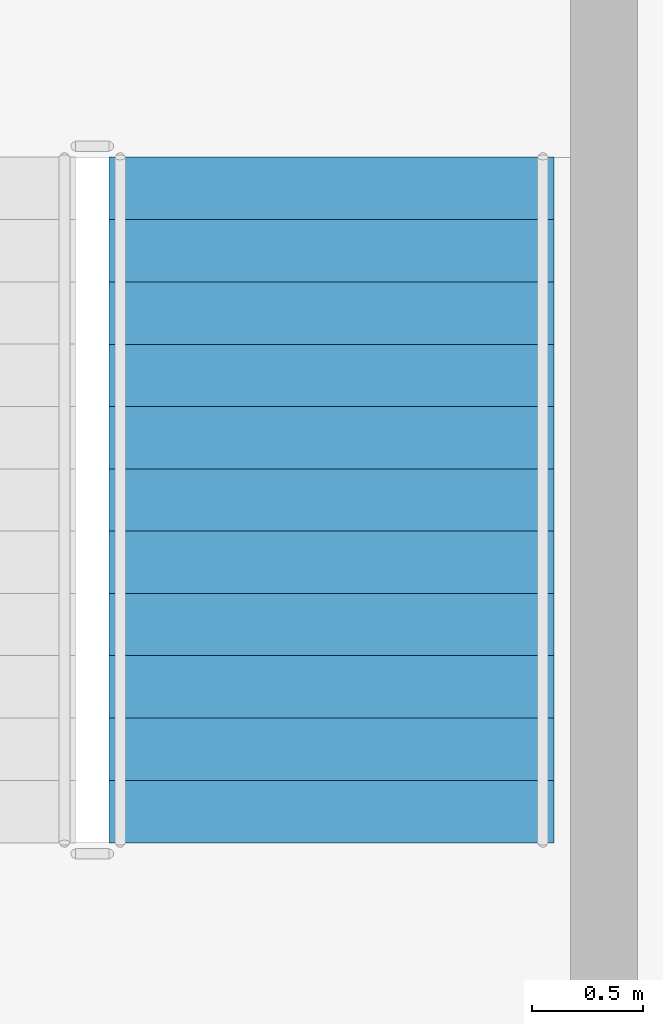
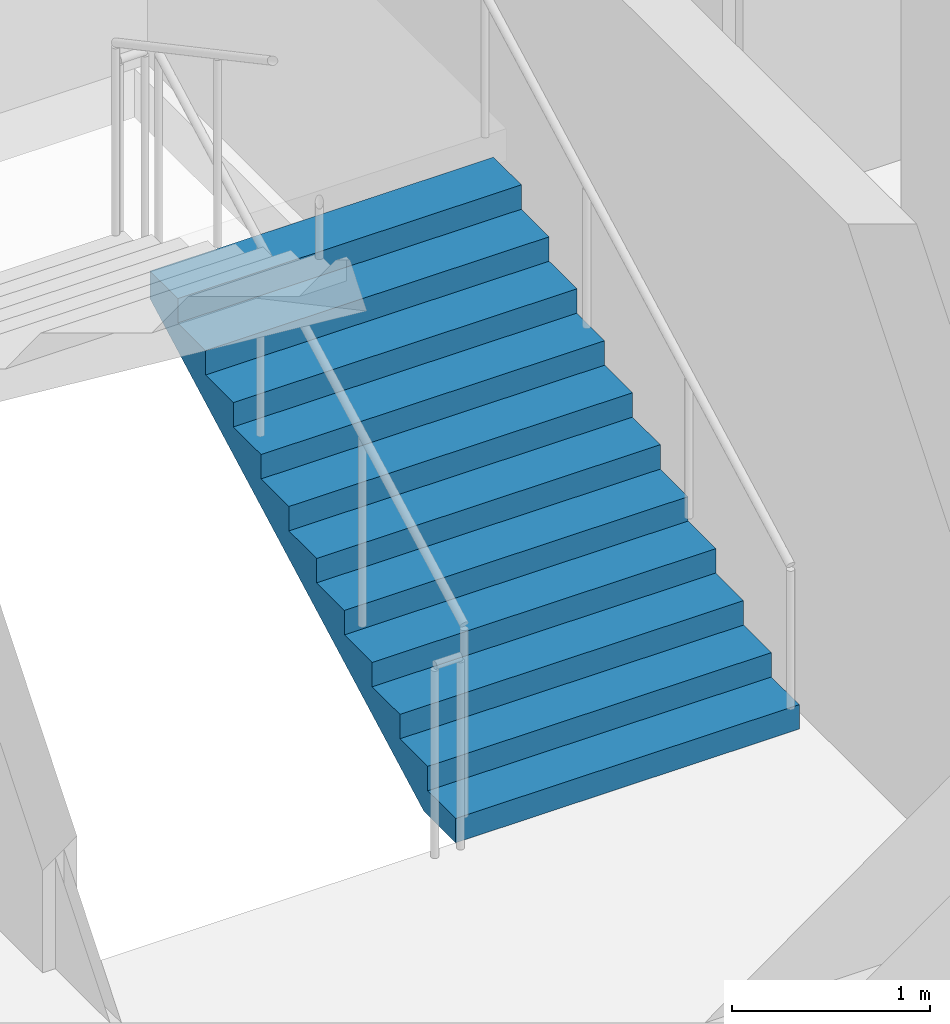
# One storey, part 12 of 15: 1 stair flight, 1 element without a shape of its own.
"""IFC4 building model written with IfcOpenShell, lengths in metres."""

from ifc_helpers import new_model, si_unit, direction, frame, origin, place, context, subcontext, project, spatial, polygons, material, type_object, element, aggregate, save


model = new_model("IFC4")

# Units and contexts
model_context = context("Model", 3, precision=1e-05, world=origin(), true_north=direction((0.0, 1.0)))
body_context = subcontext(model_context, "Body", "Model", "MODEL_VIEW")
ifc_project = project(units=[si_unit("LENGTHUNIT", "METRE"), si_unit("AREAUNIT", "SQUARE_METRE"), si_unit("VOLUMEUNIT", "CUBIC_METRE"), si_unit("PLANEANGLEUNIT", "RADIAN"), si_unit("MASSUNIT", "GRAM", prefix="KILO")], contexts=[model_context])

# Site, building, storey
site_placement = place(None, origin())
site = spatial("IfcSite", under=ifc_project, at=site_placement, CompositionType="ELEMENT")
building_placement = place(site_placement, origin())
building = spatial("IfcBuilding", under=site, at=building_placement, Name="Caravel Reach Hotel and Residences", CompositionType="ELEMENT")
storey_placement = place(building_placement, frame((0.0, 0.0, 81.60009765625)))
storey = spatial("IfcBuildingStorey", under=building, at=storey_placement, Name="L19", CompositionType="ELEMENT", Elevation=81.60009765625)

# Stair, stair flight
ifc_material_1 = material(Name="Concrete C40", Category="concrete")
stair_type = type_object("IfcStairType", Name="Core stair", PredefinedType="HALF_TURN_STAIR", material=ifc_material_1)
stair_placement = place(storey_placement, origin())
stair = element("IfcStair", 1, at=stair_placement, inside=storey, type_object=stair_type, Name="L19 Exit stair B", PredefinedType="HALF_TURN_STAIR")
ifc_material_2 = material(Name="Concrete C40", Category="concrete")
stair_flight_type = type_object("IfcStairFlightType", Name="Core stair flight", PredefinedType="STRAIGHT", material=ifc_material_2)
stair_flight_placement = place(storey_placement, frame((43.77490234375, 24.64990234375, 0.0), z_axis=(0.0, 0.0, 1.0), x_axis=(0.0, 1.0, 0.0)))
stair_flight = element("IfcStairFlight", 2, at=stair_flight_placement, type_object=stair_flight_type, Name="ST-B flight 1", NumberOfRisers=12, NumberOfTreads=11, PredefinedType="STRAIGHT", RiserHeight=0.15, TreadLength=0.28, context=body_context, shape_type="Tessellation", body=[
    polygons([(0.3174408016601862, 1.0, 0.0), (0.3174408016601862, 0.6666666666666667, 0.0), (0.3174408016601862, 0.33333333333333337, 0.0), (0.3174408016601862, 0.0, 0.0), (0.3174408016601862, -0.33333333333333326, 0.0), (0.3174408016601862, -0.6666666666666667, 0.0), (0.3174408016601862, -1.0, 0.0), (3.081, 1.0, 1.479942427682043), (3.081, 0.6666666666666667, 1.479942427682043), (3.081, 0.33333333333333337, 1.479942427682043), (3.081, 0.0, 1.479942427682043), (3.081, -0.33333333333333326, 1.479942427682043), (3.081, -0.6666666666666667, 1.479942427682043), (3.081, -1.0, 1.479942427682043), (3.081, 1.0, 1.65), (3.081, 0.6666666666666667, 1.65), (3.081, 0.33333333333333337, 1.65), (3.081, 0.0, 1.65), (3.081, -0.33333333333333326, 1.65), (3.081, -0.6666666666666667, 1.65), (3.081, -1.0, 1.65), (2.8000000000000003, 1.0, 1.65), (2.8000000000000003, 0.6666666666666667, 1.65), (2.8000000000000003, 0.33333333333333337, 1.65), (2.8000000000000003, 0.0, 1.65), (2.8000000000000003, -0.33333333333333326, 1.65), (2.8000000000000003, -0.6666666666666667, 1.65), (2.8000000000000003, -1.0, 1.65), (2.8000000000000003, 1.0, 1.5), (2.8000000000000003, 0.6666666666666667, 1.5), (2.8000000000000003, 0.33333333333333337, 1.5), (2.8000000000000003, 0.0, 1.5), (2.8000000000000003, -0.33333333333333326, 1.5), (2.8000000000000003, -0.6666666666666667, 1.5), (2.8000000000000003, -1.0, 1.5), (2.5200000000000005, 1.0, 1.5), (2.5200000000000005, 0.6666666666666667, 1.5), (2.5200000000000005, 0.33333333333333337, 1.5), (2.5200000000000005, 0.0, 1.5), (2.5200000000000005, -0.33333333333333326, 1.5), (2.5200000000000005, -0.6666666666666667, 1.5), (2.5200000000000005, -1.0, 1.5), (2.5200000000000005, 1.0, 1.3499999999999999), (2.5200000000000005, 0.6666666666666667, 1.3499999999999999), (2.5200000000000005, 0.33333333333333337, 1.3499999999999999), (2.5200000000000005, 0.0, 1.3499999999999999), (2.5200000000000005, -0.33333333333333326, 1.3499999999999999), (2.5200000000000005, -0.6666666666666667, 1.3499999999999999), (2.5200000000000005, -1.0, 1.3499999999999999), (2.24, 1.0, 1.3499999999999999), (2.24, 0.6666666666666667, 1.3499999999999999), (2.24, 0.33333333333333337, 1.3499999999999999), (2.24, 0.0, 1.3499999999999999), (2.24, -0.33333333333333326, 1.3499999999999999), (2.24, -0.6666666666666667, 1.3499999999999999), (2.24, -1.0, 1.3499999999999999), (2.24, 1.0, 1.2), (2.24, 0.6666666666666667, 1.2), (2.24, 0.33333333333333337, 1.2), (2.24, 0.0, 1.2), (2.24, -0.33333333333333326, 1.2), (2.24, -0.6666666666666667, 1.2), (2.24, -1.0, 1.2), (1.9600000000000002, 1.0, 1.2), (1.9600000000000002, 0.6666666666666667, 1.2), (1.9600000000000002, 0.33333333333333337, 1.2), (1.9600000000000002, 0.0, 1.2), (1.9600000000000002, -0.33333333333333326, 1.2), (1.9600000000000002, -0.6666666666666667, 1.2), (1.9600000000000002, -1.0, 1.2), (1.9600000000000002, 1.0, 1.05), (1.9600000000000002, 0.6666666666666667, 1.05), (1.9600000000000002, 0.33333333333333337, 1.05), (1.9600000000000002, 0.0, 1.05), (1.9600000000000002, -0.33333333333333326, 1.05), (1.9600000000000002, -0.6666666666666667, 1.05), (1.9600000000000002, -1.0, 1.05), (1.6800000000000002, 1.0, 1.05), (1.6800000000000002, 0.6666666666666667, 1.05), (1.6800000000000002, 0.33333333333333337, 1.05), (1.6800000000000002, 0.0, 1.05), (1.6800000000000002, -0.33333333333333326, 1.05), (1.6800000000000002, -0.6666666666666667, 1.05), (1.6800000000000002, -1.0, 1.05), (1.6800000000000002, 1.0, 0.8999999999999999), (1.6800000000000002, 0.6666666666666667, 0.8999999999999999), (1.6800000000000002, 0.33333333333333337, 0.8999999999999999), (1.6800000000000002, 0.0, 0.8999999999999999), (1.6800000000000002, -0.33333333333333326, 0.8999999999999999), (1.6800000000000002, -0.6666666666666667, 0.8999999999999999), (1.6800000000000002, -1.0, 0.8999999999999999), (1.4000000000000001, 1.0, 0.8999999999999999), (1.4000000000000001, 0.6666666666666667, 0.8999999999999999), (1.4000000000000001, 0.33333333333333337, 0.8999999999999999), (1.4000000000000001, 0.0, 0.8999999999999999), (1.4000000000000001, -0.33333333333333326, 0.8999999999999999), (1.4000000000000001, -0.6666666666666667, 0.8999999999999999), (1.4000000000000001, -1.0, 0.8999999999999999), (1.4000000000000001, 1.0, 0.75), (1.4000000000000001, 0.6666666666666667, 0.75), (1.4000000000000001, 0.33333333333333337, 0.75), (1.4000000000000001, 0.0, 0.75), (1.4000000000000001, -0.33333333333333326, 0.75), (1.4000000000000001, -0.6666666666666667, 0.75), (1.4000000000000001, -1.0, 0.75), (1.12, 1.0, 0.75), (1.12, 0.6666666666666667, 0.75), (1.12, 0.33333333333333337, 0.75), (1.12, 0.0, 0.75), (1.12, -0.33333333333333326, 0.75), (1.12, -0.6666666666666667, 0.75), (1.12, -1.0, 0.75), (1.12, 1.0, 0.6), (1.12, 0.6666666666666667, 0.6), (1.12, 0.33333333333333337, 0.6), (1.12, 0.0, 0.6), (1.12, -0.33333333333333326, 0.6), (1.12, -0.6666666666666667, 0.6), (1.12, -1.0, 0.6), (0.8400000000000001, 1.0, 0.6), (0.8400000000000001, 0.6666666666666667, 0.6), (0.8400000000000001, 0.33333333333333337, 0.6), (0.8400000000000001, 0.0, 0.6), (0.8400000000000001, -0.33333333333333326, 0.6), (0.8400000000000001, -0.6666666666666667, 0.6), (0.8400000000000001, -1.0, 0.6), (0.8400000000000001, 1.0, 0.44999999999999996), (0.8400000000000001, 0.6666666666666667, 0.44999999999999996), (0.8400000000000001, 0.33333333333333337, 0.44999999999999996), (0.8400000000000001, 0.0, 0.44999999999999996), (0.8400000000000001, -0.33333333333333326, 0.44999999999999996), (0.8400000000000001, -0.6666666666666667, 0.44999999999999996), (0.8400000000000001, -1.0, 0.44999999999999996), (0.56, 1.0, 0.44999999999999996), (0.56, 0.6666666666666667, 0.44999999999999996), (0.56, 0.33333333333333337, 0.44999999999999996), (0.56, 0.0, 0.44999999999999996), (0.56, -0.33333333333333326, 0.44999999999999996), (0.56, -0.6666666666666667, 0.44999999999999996), (0.56, -1.0, 0.44999999999999996), (0.56, 1.0, 0.3), (0.56, 0.6666666666666667, 0.3), (0.56, 0.33333333333333337, 0.3), (0.56, 0.0, 0.3), (0.56, -0.33333333333333326, 0.3), (0.56, -0.6666666666666667, 0.3), (0.56, -1.0, 0.3), (0.28, 1.0, 0.3), (0.28, 0.6666666666666667, 0.3), (0.28, 0.33333333333333337, 0.3), (0.28, 0.0, 0.3), (0.28, -0.33333333333333326, 0.3), (0.28, -0.6666666666666667, 0.3), (0.28, -1.0, 0.3), (0.28, 1.0, 0.15), (0.28, 0.6666666666666667, 0.15), (0.28, 0.33333333333333337, 0.15), (0.28, 0.0, 0.15), (0.28, -0.33333333333333326, 0.15), (0.28, -0.6666666666666667, 0.15), (0.28, -1.0, 0.15), (-0.001, 1.0, 0.15), (-0.001, 0.6666666666666667, 0.15), (-0.001, 0.33333333333333337, 0.15), (-0.001, 0.0, 0.15), (-0.001, -0.33333333333333326, 0.15), (-0.001, -0.6666666666666667, 0.15), (-0.001, -1.0, 0.15), (-0.001, 1.0, 0.0), (-0.001, 0.6666666666666667, 0.0), (-0.001, 0.33333333333333337, 0.0), (-0.001, 0.0, 0.0), (-0.001, -0.33333333333333326, 0.0), (-0.001, -0.6666666666666667, 0.0), (-0.001, -1.0, 0.0)], [[[169, 162, 155, 148, 141, 134, 127, 120, 113, 106, 99, 92, 85, 78, 71, 64, 57, 50, 43, 36, 29, 22, 15, 8, 1]], [[7, 14, 21, 28, 35, 42, 49, 56, 63, 70, 77, 84, 91, 98, 105, 112, 119, 126, 133, 140, 147, 154, 161, 168, 175]], [[1, 8, 9, 2]], [[2, 9, 10, 3]], [[3, 10, 11, 4]], [[4, 11, 12, 5]], [[5, 12, 13, 6]], [[6, 13, 14, 7]], [[8, 15, 16, 9]], [[9, 16, 17, 10]], [[10, 17, 18, 11]], [[11, 18, 19, 12]], [[12, 19, 20, 13]], [[13, 20, 21, 14]], [[15, 22, 23, 16]], [[16, 23, 24, 17]], [[17, 24, 25, 18]], [[18, 25, 26, 19]], [[19, 26, 27, 20]], [[20, 27, 28, 21]], [[22, 29, 30, 23]], [[23, 30, 31, 24]], [[24, 31, 32, 25]], [[25, 32, 33, 26]], [[26, 33, 34, 27]], [[27, 34, 35, 28]], [[29, 36, 37, 30]], [[30, 37, 38, 31]], [[31, 38, 39, 32]], [[32, 39, 40, 33]], [[33, 40, 41, 34]], [[34, 41, 42, 35]], [[36, 43, 44, 37]], [[37, 44, 45, 38]], [[38, 45, 46, 39]], [[39, 46, 47, 40]], [[40, 47, 48, 41]], [[41, 48, 49, 42]], [[43, 50, 51, 44]], [[44, 51, 52, 45]], [[45, 52, 53, 46]], [[46, 53, 54, 47]], [[47, 54, 55, 48]], [[48, 55, 56, 49]], [[50, 57, 58, 51]], [[51, 58, 59, 52]], [[52, 59, 60, 53]], [[53, 60, 61, 54]], [[54, 61, 62, 55]], [[55, 62, 63, 56]], [[57, 64, 65, 58]], [[58, 65, 66, 59]], [[59, 66, 67, 60]], [[60, 67, 68, 61]], [[61, 68, 69, 62]], [[62, 69, 70, 63]], [[64, 71, 72, 65]], [[65, 72, 73, 66]], [[66, 73, 74, 67]], [[67, 74, 75, 68]], [[68, 75, 76, 69]], [[69, 76, 77, 70]], [[71, 78, 79, 72]], [[72, 79, 80, 73]], [[73, 80, 81, 74]], [[74, 81, 82, 75]], [[75, 82, 83, 76]], [[76, 83, 84, 77]], [[78, 85, 86, 79]], [[79, 86, 87, 80]], [[80, 87, 88, 81]], [[81, 88, 89, 82]], [[82, 89, 90, 83]], [[83, 90, 91, 84]], [[85, 92, 93, 86]], [[86, 93, 94, 87]], [[87, 94, 95, 88]], [[88, 95, 96, 89]], [[89, 96, 97, 90]], [[90, 97, 98, 91]], [[92, 99, 100, 93]], [[93, 100, 101, 94]], [[94, 101, 102, 95]], [[95, 102, 103, 96]], [[96, 103, 104, 97]], [[97, 104, 105, 98]], [[99, 106, 107, 100]], [[100, 107, 108, 101]], [[101, 108, 109, 102]], [[102, 109, 110, 103]], [[103, 110, 111, 104]], [[104, 111, 112, 105]], [[106, 113, 114, 107]], [[107, 114, 115, 108]], [[108, 115, 116, 109]], [[109, 116, 117, 110]], [[110, 117, 118, 111]], [[111, 118, 119, 112]], [[113, 120, 121, 114]], [[114, 121, 122, 115]], [[115, 122, 123, 116]], [[116, 123, 124, 117]], [[117, 124, 125, 118]], [[118, 125, 126, 119]], [[120, 127, 128, 121]], [[121, 128, 129, 122]], [[122, 129, 130, 123]], [[123, 130, 131, 124]], [[124, 131, 132, 125]], [[125, 132, 133, 126]], [[127, 134, 135, 128]], [[128, 135, 136, 129]], [[129, 136, 137, 130]], [[130, 137, 138, 131]], [[131, 138, 139, 132]], [[132, 139, 140, 133]], [[134, 141, 142, 135]], [[135, 142, 143, 136]], [[136, 143, 144, 137]], [[137, 144, 145, 138]], [[138, 145, 146, 139]], [[139, 146, 147, 140]], [[141, 148, 149, 142]], [[142, 149, 150, 143]], [[143, 150, 151, 144]], [[144, 151, 152, 145]], [[145, 152, 153, 146]], [[146, 153, 154, 147]], [[148, 155, 156, 149]], [[149, 156, 157, 150]], [[150, 157, 158, 151]], [[151, 158, 159, 152]], [[152, 159, 160, 153]], [[153, 160, 161, 154]], [[155, 162, 163, 156]], [[156, 163, 164, 157]], [[157, 164, 165, 158]], [[158, 165, 166, 159]], [[159, 166, 167, 160]], [[160, 167, 168, 161]], [[162, 169, 170, 163]], [[163, 170, 171, 164]], [[164, 171, 172, 165]], [[165, 172, 173, 166]], [[166, 173, 174, 167]], [[167, 174, 175, 168]], [[169, 1, 2, 170]], [[170, 2, 3, 171]], [[171, 3, 4, 172]], [[172, 4, 5, 173]], [[173, 5, 6, 174]], [[174, 6, 7, 175]]], closed=True),
])
aggregate(stair, [stair_flight])

save(model, "model.ifc")
